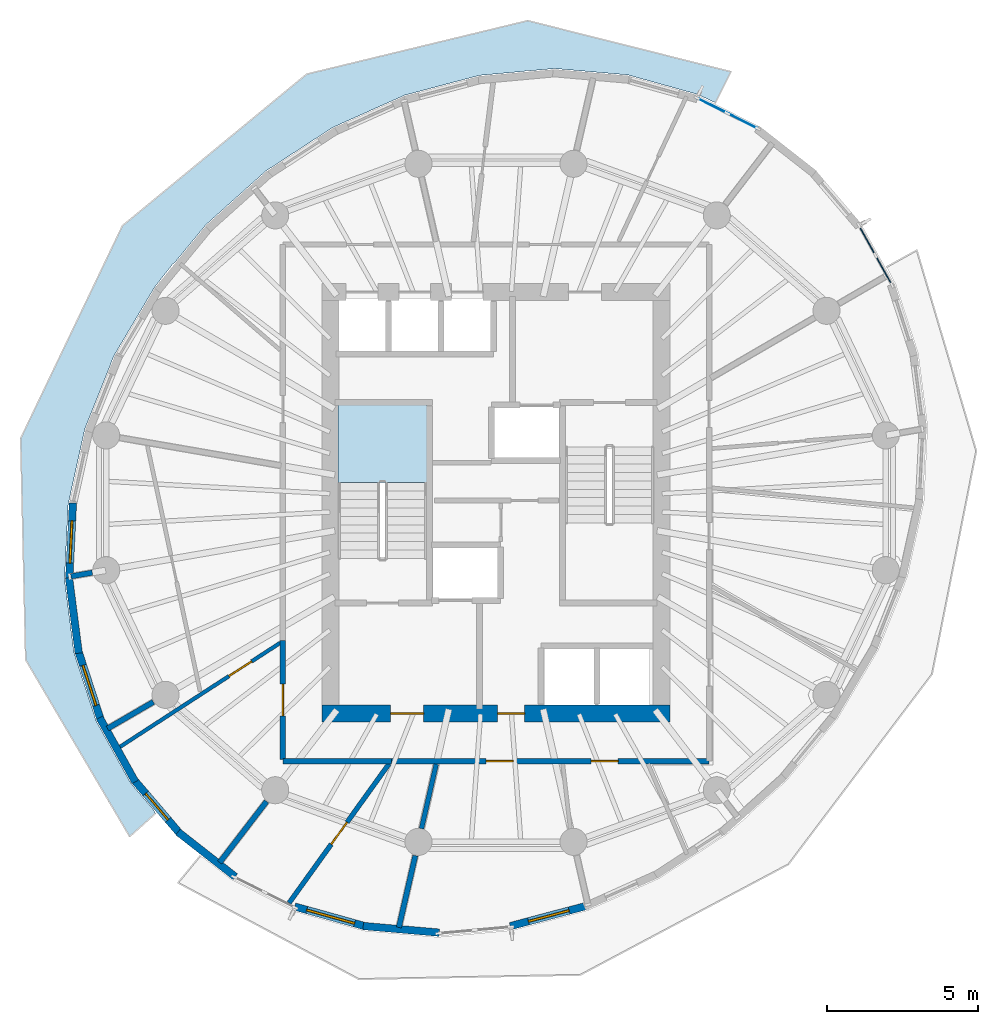
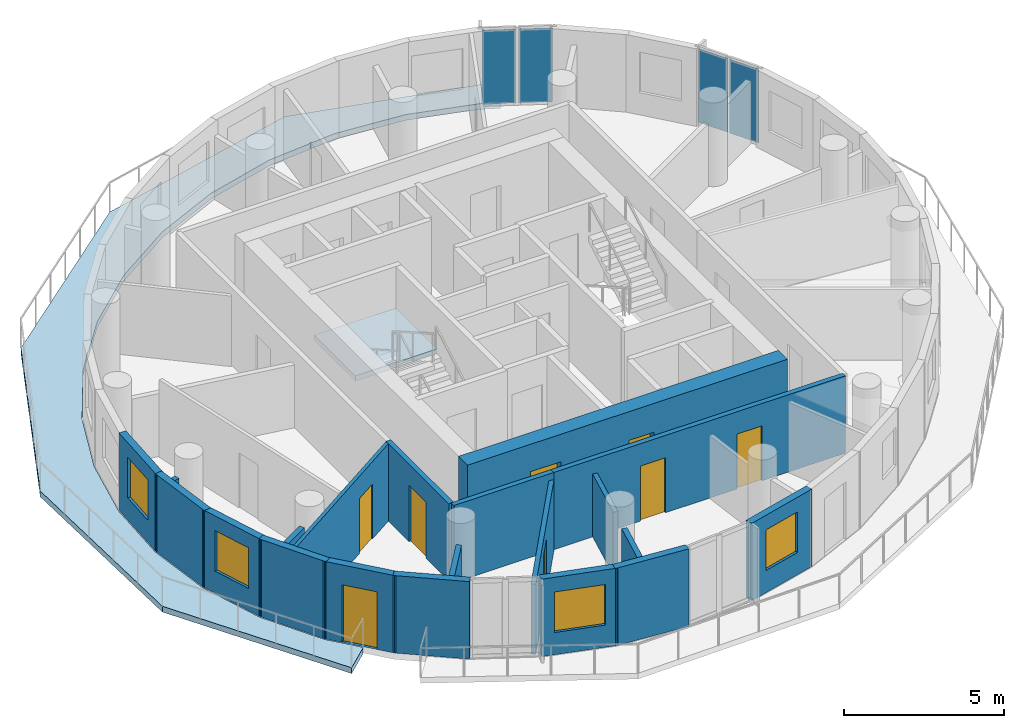
# One storey, part 4 of 10: 20 walls, 8 doors, 4 plates, 4 windows, 2 slabs, 12 openings, 3 elements without a shape of their own.
"""IFC4 building model written with IfcOpenShell, lengths in metres."""

from ifc_helpers import new_model, si_unit, direction, frame, frame_2d, origin, origin_2d, place, context, subcontext, project, spatial, polyline, rectangle, outline, extrude, material, layer, layer_set, type_object, element, fill, aggregate, save


model = new_model("IFC4")

# Units and contexts
model_context = context("Model", 3, precision=1e-05, world=origin(), true_north=direction((0.0, 1.0)))
body_context = subcontext(model_context, "Body", "Model", "MODEL_VIEW")
ifc_project = project(units=[si_unit("LENGTHUNIT", "METRE"), si_unit("AREAUNIT", "SQUARE_METRE"), si_unit("VOLUMEUNIT", "CUBIC_METRE"), si_unit("PLANEANGLEUNIT", "RADIAN"), si_unit("MASSUNIT", "GRAM", prefix="KILO")], contexts=[model_context])

# Site, building, storey
site_placement = place(None, origin())
site = spatial("IfcSite", under=ifc_project, at=site_placement, CompositionType="ELEMENT")
building_placement = place(site_placement, origin())
building = spatial("IfcBuilding", under=site, at=building_placement, Name="Veldorim Arch Residences", CompositionType="ELEMENT")
storey_placement = place(building_placement, frame((0.0, 0.0, 191.840087890625)))
storey = spatial("IfcBuildingStorey", under=building, at=storey_placement, Name="L57", CompositionType="ELEMENT", Elevation=191.840087890625)

# Slab
ifc_material_1 = material(Name="Concrete C40/50", Category="concrete")
ifc_layer_1 = layer(ifc_material_1, 0.219970703125, Name="Planted Crescent Cantilever Balcony Slab 220")
ifc_layer_set_1 = layer_set([ifc_layer_1], Name="Concrete C40/50")
slab_type_1 = type_object("IfcSlabType", Name="Planted Crescent Cantilever Balcony Slab 220", PredefinedType="FLOOR", material=ifc_layer_set_1)
slab_1_placement = place(storey_placement, frame((0.0, 0.0, -0.219970703125)))
element("IfcSlab", 1, at=slab_1_placement, inside=storey, type_object=slab_type_1, Name="L57 planted crescent balcony slab A", PredefinedType="FLOOR", context=body_context, shape_type="SweptSolid", body=[
    extrude(outline(polyline([(39.28564453125, 37.28955078125), (38.68505859375, 37.567138671875), (36.380615234375, 38.210205078125), (33.943115234375, 38.421630859375), (33.142822265625, 38.348876953125), (33.048095703125, 38.365234375), (32.92724609375, 38.329345703125), (31.447021484375, 38.194580078125), (28.967529296875, 37.53662109375), (26.58056640625, 36.46728515625), (24.358154296875, 35.019287109375), (22.3681640625, 33.23681640625), (21.35693359375, 32.008056640625), (21.263916015625, 31.928955078125), (20.67041015625, 31.173583984375), (19.31689453125, 28.892578125), (18.348388671875, 26.462890625), (17.794677734375, 23.958251953125), (17.67236328125, 21.45458984375), (17.985595703125, 19.0283203125), (18.724609375, 16.752685546875), (19.867431640625, 14.697265625), (20.63232421875, 13.80029296875), (20.68994140625, 13.6826171875), (19.83251953125, 12.916015625), (16.380615234375, 18.785400390625), (16.214599609375, 26.140380859375), (19.595458984375, 33.204345703125), (25.710205078125, 38.236572265625), (33.0537109375, 40.0126953125), (39.800537109375, 38.31787109375), (39.28564453125, 37.28955078125)])), origin(), (0.0, 0.0, 1.0), 0.219970703125),
])

# Stair, slab
ifc_material_2 = material(Name="Concrete C40/50", Category="concrete")
stair_type = type_object("IfcStairType", Name="Reinforced Concrete Dogleg Exit Staircase", PredefinedType="HALF_TURN_STAIR", material=ifc_material_2)
stair_placement = place(storey_placement, origin())
stair = element("IfcStair", 2, at=stair_placement, inside=storey, type_object=stair_type, Name="L57 Exit Staircase ST-1", PredefinedType="HALF_TURN_STAIR")
ifc_material_3 = material(Name="Concrete C40/50", Category="concrete")
ifc_layer_2 = layer(ifc_material_3, 0.199951171875, Name="Reinforced Concrete Stair Landing 200")
ifc_layer_set_2 = layer_set([ifc_layer_2], Name="Concrete C40/50")
slab_type_2 = type_object("IfcSlabType", Name="Reinforced Concrete Stair Landing 200", PredefinedType="LANDING", material=ifc_layer_set_2)
slab_2_placement = place(storey_placement, frame((0.0, 0.0, 1.39990234375)))
slab_2 = element("IfcSlab", 3, at=slab_2_placement, type_object=slab_type_2, Name="ST-1 landing 1", PredefinedType="LANDING", context=body_context, shape_type="SweptSolid", body=[
    extrude(outline(polyline([(29.7099609375, 24.669921875), (29.7099609375, 27.25), (26.75, 27.25), (26.75, 24.669921875), (29.7099609375, 24.669921875)])), origin(), (0.0, 0.0, 1.0), 0.199951171875),
])
aggregate(stair, [slab_2])

# Curtain wall, plates
ifc_material_4 = material(Name="Aluminium", Category="aluminium")
curtain_wall_type = type_object("IfcCurtainWallType", Name="Zone 4 High-Altitude Unitised Curtain Wall", PredefinedType="NOTDEFINED", material=ifc_material_4)
curtain_wall_1_placement = place(storey_placement, origin())
curtain_wall_1 = element("IfcCurtainWall", 4, at=curtain_wall_1_placement, inside=storey, type_object=curtain_wall_type, Name="L57 unitised curtain wall bay 02", PredefinedType="NOTDEFINED")
ifc_material_5 = material(Name="Laminated Low-E Glass", Category="glass")
ifc_layer_3 = layer(ifc_material_5, 0.030029296875, Name="Zone 4 High-Altitude Unitised Curtain Wall Glazing Panel 30")
ifc_layer_set_3 = layer_set([ifc_layer_3], Name="Laminated Low-E Glass")
plate_type = type_object("IfcPlateType", Name="Zone 4 High-Altitude Unitised Curtain Wall Glazing Panel 30", PredefinedType="CURTAIN_PANEL", material=ifc_layer_set_3)
plate_1_placement = place(storey_placement, frame((39.176513671875, 37.191650390625, 0.074951171875), z_axis=(0.0, 0.0, 1.0), x_axis=(0.893599006107, -0.448866145175, 0.0)))
plate_1 = element("IfcPlate", 5, at=plate_1_placement, type_object=plate_type, Name="CW-Z4 panel 1.1", PredefinedType="CURTAIN_PANEL", context=body_context, shape_type="SweptSolid", body=[
    extrude(rectangle(XDim=1.060791015625, YDim=0.030029296875, at=origin_2d()), origin(), (0.0, 0.0, 1.0), 2.81005859375),
])
plate_2_placement = place(storey_placement, frame((40.191650390625, 36.681640625, 0.074951171875), z_axis=(0.0, 0.0, 1.0), x_axis=(0.893599006107, -0.448866145175, 0.0)))
plate_2 = element("IfcPlate", 6, at=plate_2_placement, type_object=plate_type, Name="CW-Z4 panel 2.1", PredefinedType="CURTAIN_PANEL", context=body_context, shape_type="SweptSolid", body=[
    extrude(rectangle(XDim=1.060791015625, YDim=0.030029296875, at=origin_2d()), origin(), (0.0, 0.0, 1.0), 2.81005859375),
])
aggregate(curtain_wall_1, [plate_1, plate_2])

curtain_wall_2_placement = place(storey_placement, origin())
curtain_wall_2 = element("IfcCurtainWall", 7, at=curtain_wall_2_placement, inside=storey, type_object=curtain_wall_type, Name="L57 unitised curtain wall bay 35", PredefinedType="NOTDEFINED")
plate_3_placement = place(storey_placement, frame((44.327392578125, 32.715576171875, 0.074951171875), z_axis=(0.0, 0.0, 1.0), x_axis=(0.485885308861, -0.874022577874, 0.0)))
plate_3 = element("IfcPlate", 8, at=plate_3_placement, type_object=plate_type, Name="CW-Z4 panel 1.1", PredefinedType="CURTAIN_PANEL", context=body_context, shape_type="SweptSolid", body=[
    extrude(rectangle(XDim=1.06103515625, YDim=0.030029296875, at=origin_2d()), origin(), (0.0, 0.0, 1.0), 2.81005859375),
])
plate_4_placement = place(storey_placement, frame((44.87939453125, 31.722900390625, 0.074951171875), z_axis=(0.0, 0.0, 1.0), x_axis=(0.485885308861, -0.874022577874, 0.0)))
plate_4 = element("IfcPlate", 9, at=plate_4_placement, type_object=plate_type, Name="CW-Z4 panel 2.1", PredefinedType="CURTAIN_PANEL", context=body_context, shape_type="SweptSolid", body=[
    extrude(rectangle(XDim=1.06103515625, YDim=0.030029296875, at=origin_2d()), origin(), (0.0, 0.0, 1.0), 2.81005859375),
])
aggregate(curtain_wall_2, [plate_3, plate_4])

# Wall, opening, door
ifc_material_6 = material(Name="Acoustic Gypsum Board", Category="gypsum")
ifc_layer_4 = layer(ifc_material_6, 0.125, Name="Acoustic Stud Room Partition Wall 125")
ifc_layer_set_4 = layer_set([ifc_layer_4], Name="Acoustic Gypsum Board")
wall_type_1 = type_object("IfcWallType", Name="Acoustic Stud Room Partition Wall 125", PredefinedType="PARTITIONING", material=ifc_layer_set_4)
wall_1_placement = place(storey_placement, frame((19.421875, 15.838134765625, 0.0), z_axis=(0.0, 0.0, 1.0), x_axis=(0.838876327826, 0.544322061479, 0.0)))
wall_1 = element("IfcWall", 10, at=wall_1_placement, inside=storey, type_object=wall_type_1, Name="L57 interior wall WL-RES-L57-021", PredefinedType="PARTITIONING", context=body_context, shape_type="SweptSolid", body=[
    extrude(rectangle(XDim=6.454345703125, YDim=0.125, at=frame_2d((3.22705078125, 0.0))), origin(), (0.0, 0.0, 1.0), 2.954833984375),
])
opening_1_placement = place(wall_1_placement, frame((4.41943359375, 0.0, 0.0)))
opening_1 = element("IfcOpeningElement", 11, at=opening_1_placement, cuts=wall_1, Name="Opening DR-INT", PredefinedType="OPENING", context=body_context, shape_type="SweptSolid", body=[
    extrude(rectangle(XDim=0.89990234375, YDim=2.10009765625, at=frame_2d((0.449951171875, 1.050048828125))), frame((0.0, 0.072509765625, 0.0), z_axis=(0.0, -1.0, 0.0), x_axis=(1.0, 0.0, 0.0)), (0.0, 0.0, 1.0), 0.14501953125),
])
ifc_material_7 = material(Name="Engineered Timber", Category="wood")
door_type_1 = type_object("IfcDoorType", Name="Apartment Internal Room Timber Door 900x2100", OperationType="SINGLE_SWING_LEFT", PredefinedType="DOOR", material=ifc_material_7)
door_1_placement = place(opening_1_placement, origin())
door_1 = element("IfcDoor", 12, at=door_1_placement, inside=storey, type_object=door_type_1, Name="L57 interior door DR-RES-L57-014", OperationType="SINGLE_SWING_RIGHT", OverallHeight=2.10009765625, OverallWidth=0.89990234375, PredefinedType="DOOR", context=body_context, shape_type="SweptSolid", body=[
    extrude(rectangle(XDim=0.89990234375, YDim=2.10009765625, at=frame_2d((0.449951171875, 1.050048828125))), frame((0.0, 0.02490234375, 0.0), z_axis=(0.0, -1.0, 0.0), x_axis=(1.0, 0.0, 0.0)), (0.0, 0.0, 1.0), 0.050048828125),
])
fill(opening_1, door_1)

# Walls
ifc_material_8 = material(Name="Lightweight Masonry Block & Gypsum", Category="masonry")
ifc_layer_5 = layer(ifc_material_8, 0.179931640625, Name="Compartment & Corridor Fire-Rated Party Wall 180")
ifc_layer_set_5 = layer_set([ifc_layer_5], Name="Lightweight Masonry Block & Gypsum")
wall_type_2 = type_object("IfcWallType", Name="Compartment & Corridor Fire-Rated Party Wall 180", PredefinedType="PARTITIONING", material=ifc_layer_set_5)
wall_2_placement = place(storey_placement, frame((18.590576171875, 21.680419921875, 0.0), z_axis=(0.0, 0.0, 1.0), x_axis=(-0.985336223431, -0.170623933826, 0.0)))
element("IfcWall", 13, at=wall_2_placement, inside=storey, type_object=wall_type_2, Name="L57 interior wall WL-PIER-L57-09", PredefinedType="PARTITIONING", context=body_context, shape_type="SweptSolid", body=[
    extrude(rectangle(XDim=0.71826171875, YDim=0.179931640625, at=frame_2d((0.359130859375, 0.0))), origin(), (0.0, 0.0, 1.0), 2.4033203125),
])
wall_3_placement = place(storey_placement, frame((20.6181640625, 17.385986328125, 0.0), z_axis=(0.0, 0.0, 1.0), x_axis=(-0.86461381872, -0.502437005482, 0.0)))
element("IfcWall", 14, at=wall_3_placement, inside=storey, type_object=wall_type_2, Name="L57 interior wall WL-PIER-L57-10", PredefinedType="PARTITIONING", context=body_context, shape_type="SweptSolid", body=[
    extrude(rectangle(XDim=1.758056640625, YDim=0.179931640625, at=frame_2d((0.87890625, 0.0))), origin(), (0.0, 0.0, 1.0), 2.4033203125),
])
wall_4_placement = place(storey_placement, frame((24.380126953125, 14.08203125, 0.0), z_axis=(0.0, 0.0, 1.0), x_axis=(-0.609249164273, -0.792978849549, 0.0)))
element("IfcWall", 15, at=wall_4_placement, inside=storey, type_object=wall_type_2, Name="L57 interior wall WL-PIER-L57-11", PredefinedType="PARTITIONING", context=body_context, shape_type="SweptSolid", body=[
    extrude(rectangle(XDim=2.556640625, YDim=0.179931640625, at=frame_2d((1.2783203125, 0.0))), origin(), (0.0, 0.0, 1.0), 2.4033203125),
])
wall_5_placement = place(storey_placement, frame((29.320068359375, 12.282470703125, 0.0), z_axis=(0.0, 0.0, 1.0), x_axis=(-0.222943921747, -0.974831271429, 0.0)))
element("IfcWall", 16, at=wall_5_placement, inside=storey, type_object=wall_type_2, Name="L57 interior wall WL-PIER-L57-12", PredefinedType="PARTITIONING", context=body_context, shape_type="SweptSolid", body=[
    extrude(rectangle(XDim=2.448486328125, YDim=0.179931640625, at=frame_2d((1.22412109375, 0.0))), origin(), (0.0, 0.0, 1.0), 2.4033203125),
])

# Wall, openings, doors
wall_6_placement = place(storey_placement, frame((39.080078125, 15.419921875, 0.0), z_axis=(0.0, 0.0, 1.0), x_axis=(-1.0, 0.0, 0.0)))
wall_6 = element("IfcWall", 17, at=wall_6_placement, inside=storey, type_object=wall_type_2, Name="L57 interior wall WL-RES-L57-003", PredefinedType="PARTITIONING", context=body_context, shape_type="SweptSolid", body=[
    extrude(rectangle(XDim=10.593994140625, YDim=0.179931640625, at=frame_2d((5.296875, 0.0))), origin(), (0.0, 0.0, 1.0), 2.954833984375),
])
opening_2_placement = place(wall_6_placement, frame((3.021484375, 0.0, 0.0)))
opening_2 = element("IfcOpeningElement", 18, at=opening_2_placement, cuts=wall_6, Name="Opening DR-INT", PredefinedType="OPENING", context=body_context, shape_type="SweptSolid", body=[
    extrude(rectangle(XDim=0.89990234375, YDim=2.10009765625, at=frame_2d((0.449951171875, 1.050048828125))), frame((0.0, 0.099853515625, 0.0), z_axis=(0.0, -1.0, 0.0), x_axis=(1.0, 0.0, 0.0)), (0.0, 0.0, 1.0), 0.199951171875),
])
opening_3_placement = place(wall_6_placement, frame((6.50830078125, 0.0, 0.0)))
opening_3 = element("IfcOpeningElement", 19, at=opening_3_placement, cuts=wall_6, Name="Opening DR-INT", PredefinedType="OPENING", context=body_context, shape_type="SweptSolid", body=[
    extrude(rectangle(XDim=0.89990234375, YDim=2.10009765625, at=frame_2d((0.449951171875, 1.050048828125))), frame((0.0, 0.099853515625, 0.0), z_axis=(0.0, -1.0, 0.0), x_axis=(1.0, 0.0, 0.0)), (0.0, 0.0, 1.0), 0.199951171875),
])
door_2_placement = place(opening_2_placement, origin())
door_2 = element("IfcDoor", 20, at=door_2_placement, inside=storey, type_object=door_type_1, Name="L57 interior door DR-RES-L57-004", OperationType="SINGLE_SWING_RIGHT", OverallHeight=2.10009765625, OverallWidth=0.89990234375, PredefinedType="DOOR", context=body_context, shape_type="SweptSolid", body=[
    extrude(rectangle(XDim=0.89990234375, YDim=2.10009765625, at=frame_2d((0.449951171875, 1.050048828125))), frame((0.0, 0.02490234375, 0.0), z_axis=(0.0, -1.0, 0.0), x_axis=(1.0, 0.0, 0.0)), (0.0, 0.0, 1.0), 0.050048828125),
])
fill(opening_2, door_2)
door_3_placement = place(opening_3_placement, origin())
door_3 = element("IfcDoor", 21, at=door_3_placement, inside=storey, type_object=door_type_1, Name="L57 interior door DR-RES-L57-005", OperationType="SINGLE_SWING_LEFT", OverallHeight=2.10009765625, OverallWidth=0.89990234375, PredefinedType="DOOR", context=body_context, shape_type="SweptSolid", body=[
    extrude(rectangle(XDim=0.89990234375, YDim=2.10009765625, at=frame_2d((0.449951171875, 1.050048828125))), frame((0.0, 0.02490234375, 0.0), z_axis=(0.0, -1.0, 0.0), x_axis=(1.0, 0.0, 0.0)), (0.0, 0.0, 1.0), 0.050048828125),
])
fill(opening_3, door_3)

# Wall
wall_7_placement = place(storey_placement, frame((28.53076171875, 15.419921875, 0.0), z_axis=(0.0, 0.0, 1.0), x_axis=(-1.0, 0.0, 0.0)))
element("IfcWall", 22, at=wall_7_placement, inside=storey, type_object=wall_type_2, Name="L57 interior wall WL-RES-L57-006", PredefinedType="PARTITIONING", context=body_context, shape_type="SweptSolid", body=[
    extrude(rectangle(XDim=3.61083984375, YDim=0.179931640625, at=frame_2d((1.805419921875, 0.0))), origin(), (0.0, 0.0, 1.0), 2.954833984375),
])

# Wall, opening, door
wall_8_placement = place(storey_placement, frame((24.919921875, 15.47998046875, 0.0), z_axis=(0.0, 0.0, 1.0), x_axis=(0.0, 1.0, 0.0)))
wall_8 = element("IfcWall", 23, at=wall_8_placement, inside=storey, type_object=wall_type_2, Name="L57 interior wall WL-RES-L57-007", PredefinedType="PARTITIONING", context=body_context, shape_type="SweptSolid", body=[
    extrude(rectangle(XDim=3.94580078125, YDim=0.179931640625, at=frame_2d((1.972900390625, 0.0))), origin(), (0.0, 0.0, 1.0), 2.954833984375),
])
opening_4_placement = place(wall_8_placement, frame((1.447998046875, 0.0, 0.0)))
opening_4 = element("IfcOpeningElement", 24, at=opening_4_placement, cuts=wall_8, Name="Opening DR-FLT", PredefinedType="OPENING", context=body_context, shape_type="SweptSolid", body=[
    extrude(rectangle(XDim=1.050048828125, YDim=2.14990234375, at=frame_2d((0.52490234375, 1.074951171875))), frame((0.0, 0.099853515625, 0.0), z_axis=(0.0, -1.0, 0.0), x_axis=(1.0, 0.0, 0.0)), (0.0, 0.0, 1.0), 0.199951171875),
])
ifc_material_9 = material(Name="Fire-Rated Timber", Category="wood")
door_type_2 = type_object("IfcDoorType", Name="Apartment Entrance Solid-Core Fire Door 1050x2150", OperationType="SINGLE_SWING_LEFT", PredefinedType="DOOR", material=ifc_material_9)
door_4_placement = place(opening_4_placement, origin())
door_4 = element("IfcDoor", 25, at=door_4_placement, inside=storey, type_object=door_type_2, Name="L57 interior door DR-RES-L57-012", OperationType="SINGLE_SWING_RIGHT", OverallHeight=2.14990234375, OverallWidth=1.050048828125, PredefinedType="DOOR", context=body_context, shape_type="SweptSolid", body=[
    extrude(rectangle(XDim=1.050048828125, YDim=2.14990234375, at=frame_2d((0.52490234375, 1.074951171875))), frame((0.0, 0.02490234375, 0.0), z_axis=(0.0, -1.0, 0.0), x_axis=(1.0, 0.0, 0.0)), (0.0, 0.0, 1.0), 0.050048828125),
])
fill(opening_4, door_4)

# Wall, opening, window
ifc_material_10 = material(Name="Precast concrete C40/50", Category="concrete")
ifc_layer_6 = layer(ifc_material_10, 0.25, Name="Tower Terracotta Spandrel & Pier Wall 250")
ifc_layer_set_6 = layer_set([ifc_layer_6], Name="Precast concrete C40/50")
wall_type_3 = type_object("IfcWallType", Name="Tower Terracotta Spandrel & Pier Wall 250", PredefinedType="SOLIDWALL", material=ifc_layer_set_6)
wall_9_placement = place(storey_placement, frame((17.8203125, 21.404541015625, 0.0), z_axis=(0.0, 0.0, 1.0), x_axis=(0.048688181414, 0.99881402723, 0.0)))
wall_9 = element("IfcWall", 26, at=wall_9_placement, inside=storey, type_object=wall_type_3, Name="L57 terracotta facade wall 14", PredefinedType="SOLIDWALL", context=body_context, shape_type="SweptSolid", body=[
    extrude(rectangle(XDim=2.592529296875, YDim=0.25, at=frame_2d((1.29638671875, 0.0))), origin(), (0.0, 0.0, 1.0), 2.9599609375),
])
opening_5_placement = place(wall_9_placement, frame((0.595947265625, 0.0, 0.85009765625)))
opening_5 = element("IfcOpeningElement", 27, at=opening_5_placement, cuts=wall_9, Name="Opening WN-02", PredefinedType="OPENING", context=body_context, shape_type="SweptSolid", body=[
    extrude(rectangle(XDim=1.39990234375, YDim=1.550048828125, at=frame_2d((0.699951171875, 0.77490234375))), frame((0.0, 0.135009765625, 0.0), z_axis=(0.0, -1.0, 0.0), x_axis=(1.0, 0.0, 0.0)), (0.0, 0.0, 1.0), 0.27001953125),
])
ifc_material_11 = material(Name="Laminated Low-E Glass", Category="glass")
window_type_1 = type_object("IfcWindowType", Name="Residential Casement Window 1400x1550", PartitioningType="SINGLE_PANEL", PredefinedType="WINDOW", material=ifc_material_11)
window_1_placement = place(opening_5_placement, origin())
window_1 = element("IfcWindow", 28, at=window_1_placement, inside=storey, type_object=window_type_1, Name="L57 solar-control facade window 14", OverallHeight=1.550048828125, OverallWidth=1.39990234375, PartitioningType="SINGLE_PANEL", PredefinedType="WINDOW", context=body_context, shape_type="SweptSolid", body=[
    extrude(rectangle(XDim=1.39990234375, YDim=1.550048828125, at=frame_2d((0.699951171875, 0.77490234375))), frame((0.0, 0.030029296875, 0.0), z_axis=(0.0, -1.0, 0.0), x_axis=(1.0, 0.0, 0.0)), (0.0, 0.0, 1.0), 0.06005859375),
])
fill(opening_5, window_1)

# Wall
wall_10_placement = place(storey_placement, frame((18.139892578125, 19.005126953125, 0.0), z_axis=(0.0, 0.0, 1.0), x_axis=(-0.128057007482, 0.991766808698, 0.0)))
element("IfcWall", 29, at=wall_10_placement, inside=storey, type_object=wall_type_3, Name="L57 terracotta facade wall 15", PredefinedType="SOLIDWALL", context=body_context, shape_type="SweptSolid", body=[
    extrude(rectangle(XDim=2.53173828125, YDim=0.25, at=frame_2d((1.265869140625, 0.0))), origin(), (0.0, 0.0, 1.0), 2.9599609375),
])

# Wall, opening, window
wall_11_placement = place(storey_placement, frame((18.880615234375, 16.758544921875, 0.0), z_axis=(0.0, 0.0, 1.0), x_axis=(-0.309005861828, 0.951060133407, 0.0)))
wall_11 = element("IfcWall", 30, at=wall_11_placement, inside=storey, type_object=wall_type_3, Name="L57 terracotta facade wall 16", PredefinedType="SOLIDWALL", context=body_context, shape_type="SweptSolid", body=[
    extrude(rectangle(XDim=2.477783203125, YDim=0.25, at=frame_2d((1.23876953125, 0.0))), origin(), (0.0, 0.0, 1.0), 2.9599609375),
])
opening_6_placement = place(wall_11_placement, frame((0.5390625, 0.0, 0.85009765625)))
opening_6 = element("IfcOpeningElement", 31, at=opening_6_placement, cuts=wall_11, Name="Opening WN-02", PredefinedType="OPENING", context=body_context, shape_type="SweptSolid", body=[
    extrude(rectangle(XDim=1.39990234375, YDim=1.550048828125, at=frame_2d((0.699951171875, 0.77490234375))), frame((0.0, 0.135009765625, 0.0), z_axis=(0.0, -1.0, 0.0), x_axis=(1.0, 0.0, 0.0)), (0.0, 0.0, 1.0), 0.27001953125),
])
window_2_placement = place(opening_6_placement, origin())
window_2 = element("IfcWindow", 32, at=window_2_placement, inside=storey, type_object=window_type_1, Name="L57 solar-control facade window 16", OverallHeight=1.550048828125, OverallWidth=1.39990234375, PartitioningType="SINGLE_PANEL", PredefinedType="WINDOW", context=body_context, shape_type="SweptSolid", body=[
    extrude(rectangle(XDim=1.39990234375, YDim=1.550048828125, at=frame_2d((0.699951171875, 0.77490234375))), frame((0.0, 0.030029296875, 0.0), z_axis=(0.0, -1.0, 0.0), x_axis=(1.0, 0.0, 0.0)), (0.0, 0.0, 1.0), 0.06005859375),
])
fill(opening_6, window_2)

# Wall
wall_12_placement = place(storey_placement, frame((20.01904296875, 14.73291015625, 0.0), z_axis=(0.0, 0.0, 1.0), x_axis=(-0.485821561791, 0.874058013005, 0.0)))
element("IfcWall", 33, at=wall_12_placement, inside=storey, type_object=wall_type_3, Name="L57 terracotta facade wall 17", PredefinedType="SOLIDWALL", context=body_context, shape_type="SweptSolid", body=[
    extrude(rectangle(XDim=2.436767578125, YDim=0.25, at=frame_2d((1.21826171875, 0.0))), origin(), (0.0, 0.0, 1.0), 2.9599609375),
])

# Wall, opening, door
wall_13_placement = place(storey_placement, frame((21.520751953125, 12.989501953125, 0.0), z_axis=(0.0, 0.0, 1.0), x_axis=(-0.648874307696, 0.760895612297, 0.0)))
wall_13 = element("IfcWall", 34, at=wall_13_placement, inside=storey, type_object=wall_type_3, Name="L57 terracotta facade wall 18", PredefinedType="SOLIDWALL", context=body_context, shape_type="SweptSolid", body=[
    extrude(rectangle(XDim=2.414794921875, YDim=0.25, at=frame_2d((1.20751953125, 0.0))), origin(), (0.0, 0.0, 1.0), 2.9599609375),
])
opening_7_placement = place(wall_13_placement, frame((0.632080078125, 0.0, 0.0)))
opening_7 = element("IfcOpeningElement", 35, at=opening_7_placement, cuts=wall_13, Name="Opening BL-DR", PredefinedType="OPENING", context=body_context, shape_type="SweptSolid", body=[
    extrude(rectangle(XDim=1.14990234375, YDim=2.199951171875, at=frame_2d((0.574951171875, 1.10009765625))), frame((0.0, 0.135009765625, 0.0), z_axis=(0.0, -1.0, 0.0), x_axis=(1.0, 0.0, 0.0)), (0.0, 0.0, 1.0), 0.27001953125),
])
ifc_material_12 = material(Name="Aluminium & Low-E Glass", Category="aluminium")
door_type_3 = type_object("IfcDoorType", Name="Glazed Planted Balcony Door 1150x2200", OperationType="SINGLE_SWING_LEFT", PredefinedType="DOOR", material=ifc_material_12)
door_5_placement = place(opening_7_placement, origin())
door_5 = element("IfcDoor", 36, at=door_5_placement, inside=storey, type_object=door_type_3, Name="L57 glazed outdoor terrace door BALC-1", OperationType="SINGLE_SWING_RIGHT", OverallHeight=2.199951171875, OverallWidth=1.14990234375, PredefinedType="DOOR", context=body_context, shape_type="SweptSolid", body=[
    extrude(rectangle(XDim=1.14990234375, YDim=2.199951171875, at=frame_2d((0.574951171875, 1.10009765625))), frame((0.0, 0.02490234375, 0.0), z_axis=(0.0, -1.0, 0.0), x_axis=(1.0, 0.0, 0.0)), (0.0, 0.0, 1.0), 0.050048828125),
])
fill(opening_7, door_5)

# Wall
wall_14_placement = place(storey_placement, frame((23.33935546875, 11.580322265625, 0.0), z_axis=(0.0, 0.0, 1.0), x_axis=(-0.787404715416, 0.616436382883, 0.0)))
element("IfcWall", 37, at=wall_14_placement, inside=storey, type_object=wall_type_3, Name="L57 terracotta facade wall 19", PredefinedType="SOLIDWALL", context=body_context, shape_type="SweptSolid", body=[
    extrude(rectangle(XDim=2.414794921875, YDim=0.25, at=frame_2d((1.20751953125, 0.0))), origin(), (0.0, 0.0, 1.0), 2.9599609375),
])

# Wall, opening, window
wall_15_placement = place(storey_placement, frame((27.70068359375, 9.922607421875, 0.0), z_axis=(0.0, 0.0, 1.0), x_axis=(-0.96316841201, 0.26889888454, 0.0)))
wall_15 = element("IfcWall", 38, at=wall_15_placement, inside=storey, type_object=wall_type_3, Name="L57 terracotta facade wall 21", PredefinedType="SOLIDWALL", context=body_context, shape_type="SweptSolid", body=[
    extrude(rectangle(XDim=2.477783203125, YDim=0.25, at=frame_2d((1.23876953125, 0.0))), origin(), (0.0, 0.0, 1.0), 2.9599609375),
])
opening_8_placement = place(wall_15_placement, frame((0.4140625, 0.0, 0.85009765625)))
opening_8 = element("IfcOpeningElement", 39, at=opening_8_placement, cuts=wall_15, Name="Opening WN-03", PredefinedType="OPENING", context=body_context, shape_type="SweptSolid", body=[
    extrude(rectangle(XDim=1.64990234375, YDim=1.550048828125, at=frame_2d((0.824951171875, 0.77490234375))), frame((0.0, 0.135009765625, 0.0), z_axis=(0.0, -1.0, 0.0), x_axis=(1.0, 0.0, 0.0)), (0.0, 0.0, 1.0), 0.27001953125),
])
ifc_material_13 = material(Name="Laminated Low-E Glass", Category="glass")
window_type_2 = type_object("IfcWindowType", Name="Residential Wide Window 1650x1550", PartitioningType="SINGLE_PANEL", PredefinedType="WINDOW", material=ifc_material_13)
window_3_placement = place(opening_8_placement, origin())
window_3 = element("IfcWindow", 40, at=window_3_placement, inside=storey, type_object=window_type_2, Name="L57 solar-control facade window 21", OverallHeight=1.550048828125, OverallWidth=1.64990234375, PartitioningType="SINGLE_PANEL", PredefinedType="WINDOW", context=body_context, shape_type="SweptSolid", body=[
    extrude(rectangle(XDim=1.64990234375, YDim=1.550048828125, at=frame_2d((0.824951171875, 0.77490234375))), frame((0.0, 0.030029296875, 0.0), z_axis=(0.0, -1.0, 0.0), x_axis=(1.0, 0.0, 0.0)), (0.0, 0.0, 1.0), 0.06005859375),
])
fill(opening_8, window_3)

# Wall
wall_16_placement = place(storey_placement, frame((30.1123046875, 9.72412109375, 0.0), z_axis=(0.0, 0.0, 1.0), x_axis=(-0.996260822813, 0.08639660252, 0.0)))
element("IfcWall", 41, at=wall_16_placement, inside=storey, type_object=wall_type_3, Name="L57 terracotta facade wall 22", PredefinedType="SOLIDWALL", context=body_context, shape_type="SweptSolid", body=[
    extrude(rectangle(XDim=2.531982421875, YDim=0.25, at=frame_2d((1.26611328125, 0.0))), origin(), (0.0, 0.0, 1.0), 2.9599609375),
])

# Wall, opening, window
wall_17_placement = place(storey_placement, frame((35.035400390625, 10.619384765625, 0.0), z_axis=(0.0, 0.0, 1.0), x_axis=(-0.96652474621, -0.256573410476, 0.0)))
wall_17 = element("IfcWall", 42, at=wall_17_placement, inside=storey, type_object=wall_type_3, Name="L57 terracotta facade wall 24", PredefinedType="SOLIDWALL", context=body_context, shape_type="SweptSolid", body=[
    extrude(rectangle(XDim=2.65087890625, YDim=0.25, at=frame_2d((1.325439453125, 0.0))), origin(), (0.0, 0.0, 1.0), 2.9599609375),
])
opening_9_placement = place(wall_17_placement, frame((0.6259765625, 0.0, 0.85009765625)))
opening_9 = element("IfcOpeningElement", 43, at=opening_9_placement, cuts=wall_17, Name="Opening WN-02", PredefinedType="OPENING", context=body_context, shape_type="SweptSolid", body=[
    extrude(rectangle(XDim=1.39990234375, YDim=1.550048828125, at=frame_2d((0.699951171875, 0.77490234375))), frame((0.0, 0.135009765625, 0.0), z_axis=(0.0, -1.0, 0.0), x_axis=(1.0, 0.0, 0.0)), (0.0, 0.0, 1.0), 0.27001953125),
])
window_4_placement = place(opening_9_placement, origin())
window_4 = element("IfcWindow", 44, at=window_4_placement, inside=storey, type_object=window_type_1, Name="L57 solar-control facade window 24", OverallHeight=1.550048828125, OverallWidth=1.39990234375, PartitioningType="SINGLE_PANEL", PredefinedType="WINDOW", context=body_context, shape_type="SweptSolid", body=[
    extrude(rectangle(XDim=1.39990234375, YDim=1.550048828125, at=frame_2d((0.699951171875, 0.77490234375))), frame((0.0, 0.030029296875, 0.0), z_axis=(0.0, -1.0, 0.0), x_axis=(1.0, 0.0, 0.0)), (0.0, 0.0, 1.0), 0.06005859375),
])
fill(opening_9, window_4)

# Wall, openings, doors
ifc_material_14 = material(Name="Concrete C50/60", Category="concrete")
ifc_layer_7 = layer(ifc_material_14, 0.5, Name="Upper Central Core Shear Wall 560")
ifc_layer_set_7 = layer_set([ifc_layer_7], Name="Concrete C50/60")
wall_type_4 = type_object("IfcWallType", Name="Upper Central Core Shear Wall 560", PredefinedType="SHEAR", material=ifc_layer_set_7)
wall_18_placement = place(storey_placement, frame((26.219970703125, 17.0, 0.0), z_axis=(0.0, 0.0, 1.0), x_axis=(1.0, 0.0, 0.0)))
wall_18 = element("IfcWall", 45, at=wall_18_placement, inside=storey, type_object=wall_type_4, Name="L57 central core south shear wall", PredefinedType="SHEAR", context=body_context, shape_type="SweptSolid", body=[
    extrude(rectangle(XDim=11.56005859375, YDim=0.56005859375, at=frame_2d((5.780029296875, 0.0))), origin(), (0.0, 0.0, 1.0), 3.199951171875),
])
opening_10_placement = place(wall_18_placement, frame((2.280029296875, 0.0, 0.0)))
opening_10 = element("IfcOpeningElement", 46, at=opening_10_placement, cuts=wall_18, Name="Opening DR-FFL", PredefinedType="OPENING", context=body_context, shape_type="SweptSolid", body=[
    extrude(rectangle(XDim=1.10009765625, YDim=2.14990234375, at=frame_2d((0.550048828125, 1.074951171875))), frame((0.0, 0.2900390625, 0.0), z_axis=(0.0, -1.0, 0.0), x_axis=(1.0, 0.0, 0.0)), (0.0, 0.0, 1.0), 0.580078125),
])
opening_11_placement = place(wall_18_placement, frame((5.830078125, 0.0, 0.0)))
opening_11 = element("IfcOpeningElement", 47, at=opening_11_placement, cuts=wall_18, Name="Opening DR-SVC", PredefinedType="OPENING", context=body_context, shape_type="SweptSolid", body=[
    extrude(rectangle(XDim=0.89990234375, YDim=2.10009765625, at=frame_2d((0.449951171875, 1.050048828125))), frame((0.0, 0.2900390625, 0.0), z_axis=(0.0, -1.0, 0.0), x_axis=(1.0, 0.0, 0.0)), (0.0, 0.0, 1.0), 0.580078125),
])
ifc_material_15 = material(Name="Fire-Rated Steel & Vision Glass", Category="steel")
door_type_4 = type_object("IfcDoorType", Name="Firefighting Lobby Smoke-Stop Fire Door 1100x2150", OperationType="SINGLE_SWING_LEFT", PredefinedType="DOOR", material=ifc_material_15)
door_6_placement = place(opening_10_placement, origin())
door_6 = element("IfcDoor", 48, at=door_6_placement, inside=storey, type_object=door_type_4, Name="L57 interior door DR-L57-FFL1", OperationType="SINGLE_SWING_RIGHT", OverallHeight=2.14990234375, OverallWidth=1.10009765625, PredefinedType="DOOR", context=body_context, shape_type="SweptSolid", body=[
    extrude(rectangle(XDim=1.10009765625, YDim=2.14990234375, at=frame_2d((0.550048828125, 1.074951171875))), frame((0.0, 0.02490234375, 0.0), z_axis=(0.0, -1.0, 0.0), x_axis=(1.0, 0.0, 0.0)), (0.0, 0.0, 1.0), 0.050048828125),
])
fill(opening_10, door_6)
ifc_material_16 = material(Name="Fire-Rated Steel", Category="steel")
door_type_5 = type_object("IfcDoorType", Name="Riser, Shelter & Plant Room Rated Steel Door 900x2100", OperationType="SINGLE_SWING_LEFT", PredefinedType="DOOR", material=ifc_material_16)
door_7_placement = place(opening_11_placement, origin())
door_7 = element("IfcDoor", 49, at=door_7_placement, inside=storey, type_object=door_type_5, Name="L57 interior door DR-L57-COR-ANC", OperationType="SINGLE_SWING_LEFT", OverallHeight=2.10009765625, OverallWidth=0.89990234375, PredefinedType="DOOR", context=body_context, shape_type="SweptSolid", body=[
    extrude(rectangle(XDim=0.89990234375, YDim=2.10009765625, at=frame_2d((0.449951171875, 1.050048828125))), frame((0.0, 0.02490234375, 0.0), z_axis=(0.0, -1.0, 0.0), x_axis=(1.0, 0.0, 0.0)), (0.0, 0.0, 1.0), 0.050048828125),
])
fill(opening_11, door_7)

# Wall
ifc_material_17 = material(Name="Moisture-Resistant Gypsum & Stud", Category="gypsum")
ifc_layer_8 = layer(ifc_material_17, 0.159912109375, Name="Wet-Area Moisture-Resistant Plumbing Wall 160")
ifc_layer_set_8 = layer_set([ifc_layer_8], Name="Moisture-Resistant Gypsum & Stud")
wall_type_5 = type_object("IfcWallType", Name="Wet-Area Moisture-Resistant Plumbing Wall 160", PredefinedType="PLUMBINGWALL", material=ifc_layer_set_8)
wall_19_placement = place(storey_placement, frame((29.525146484375, 13.17919921875, 0.0), z_axis=(0.0, 0.0, 1.0), x_axis=(0.222969522248, 0.974825416241, 0.0)))
element("IfcWall", 50, at=wall_19_placement, inside=storey, type_object=wall_type_5, Name="L57 interior wall WL-RES-L57-014", PredefinedType="PLUMBINGWALL", context=body_context, shape_type="SweptSolid", body=[
    extrude(rectangle(XDim=2.19873046875, YDim=0.159912109375, at=frame_2d((1.099365234375, 0.0))), origin(), (0.0, 0.0, 1.0), 2.4033203125),
])

# Wall, opening, door
wall_20_placement = place(storey_placement, frame((28.452392578125, 15.3388671875, 0.0), z_axis=(0.0, 0.0, 1.0), x_axis=(-0.583489481732, -0.812120695899, 0.0)))
wall_20 = element("IfcWall", 51, at=wall_20_placement, inside=storey, type_object=wall_type_5, Name="L57 interior wall WL-RES-L57-020", PredefinedType="PLUMBINGWALL", context=body_context, shape_type="SweptSolid", body=[
    extrude(rectangle(XDim=5.697998046875, YDim=0.159912109375, at=frame_2d((2.84912109375, 0.0))), origin(), (0.0, 0.0, 1.0), 2.69189453125),
])
opening_12_placement = place(wall_20_placement, frame((2.39892578125, 0.0, 0.0)))
opening_12 = element("IfcOpeningElement", 52, at=opening_12_placement, cuts=wall_20, Name="Opening DR-WC", PredefinedType="OPENING", context=body_context, shape_type="SweptSolid", body=[
    extrude(rectangle(XDim=0.89990234375, YDim=2.10009765625, at=frame_2d((0.449951171875, 1.050048828125))), frame((0.0, 0.08984375, 0.0), z_axis=(0.0, -1.0, 0.0), x_axis=(1.0, 0.0, 0.0)), (0.0, 0.0, 1.0), 0.179931640625),
])
ifc_material_18 = material(Name="Laminate Timber", Category="wood")
door_type_6 = type_object("IfcDoorType", Name="Bathroom & Accessible WC Moisture-Sealed Door 900x2100", OperationType="SINGLE_SWING_LEFT", PredefinedType="DOOR", material=ifc_material_18)
door_8_placement = place(opening_12_placement, origin())
door_8 = element("IfcDoor", 53, at=door_8_placement, inside=storey, type_object=door_type_6, Name="L57 interior door DR-RES-L57-013", OperationType="SINGLE_SWING_LEFT", OverallHeight=2.10009765625, OverallWidth=0.89990234375, PredefinedType="DOOR", context=body_context, shape_type="SweptSolid", body=[
    extrude(rectangle(XDim=0.89990234375, YDim=2.10009765625, at=frame_2d((0.449951171875, 1.050048828125))), frame((0.0, 0.02490234375, 0.0), z_axis=(0.0, -1.0, 0.0), x_axis=(1.0, 0.0, 0.0)), (0.0, 0.0, 1.0), 0.050048828125),
])
fill(opening_12, door_8)

save(model, "model.ifc")
